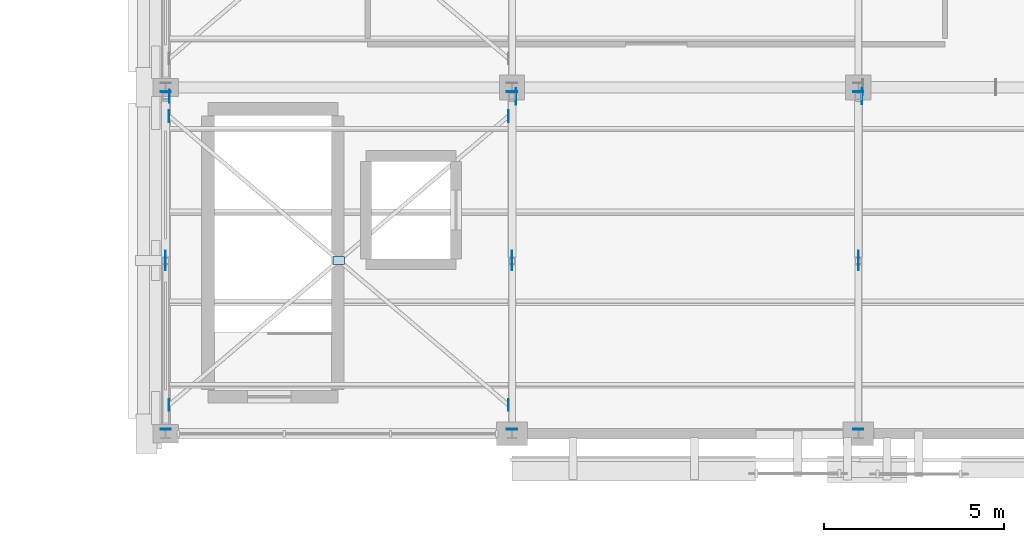
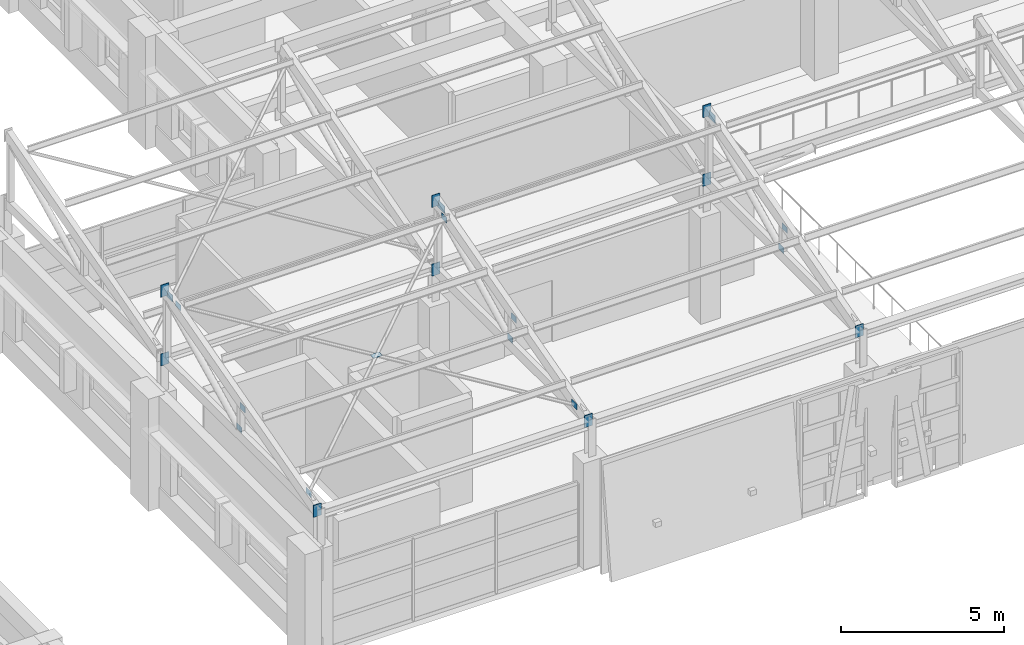
# One storey, part 38 of 58: 23 plates.
"""IFC4 building model written with IfcOpenShell, lengths in metres."""

from ifc_helpers import new_model, si_unit, direction, frame, origin, origin_2d, place, context, subcontext, project, spatial, rectangle, extrude, material, layer, layer_set, type_object, element, save


model = new_model("IFC4")

# Units and contexts
model_context = context("Model", 3, precision=1e-05, world=origin(), true_north=direction((0.0, 1.0)))
body_context = subcontext(model_context, "Body", "Model", "MODEL_VIEW")
ifc_project = project(units=[si_unit("LENGTHUNIT", "METRE"), si_unit("AREAUNIT", "SQUARE_METRE"), si_unit("VOLUMEUNIT", "CUBIC_METRE"), si_unit("PLANEANGLEUNIT", "RADIAN"), si_unit("MASSUNIT", "GRAM", prefix="KILO")], contexts=[model_context])

# Site, building, storey
site_placement = place(None, origin())
site = spatial("IfcSite", under=ifc_project, at=site_placement, CompositionType="ELEMENT")
building_placement = place(site_placement, origin())
building = spatial("IfcBuilding", under=site, at=building_placement, Name="Bempovik Park Faculty of Sciences", CompositionType="ELEMENT")
storey_placement = place(building_placement, frame((0.0, 0.0, 18.300048828125)))
storey = spatial("IfcBuildingStorey", under=building, at=storey_placement, Name="L04", CompositionType="ELEMENT", Elevation=18.300048828125)

# Plates
ifc_material = material(Name="Steel S355", Category="steel")
ifc_layer_1 = layer(ifc_material, 0.011962890625)
ifc_layer_set_1 = layer_set([ifc_layer_1], Name="Steel S355")
plate_type_1 = type_object("IfcPlateType", Name="PL-26 Steel Plate 320x220x12", PredefinedType="SHEET", material=ifc_layer_set_1)
plate_1_placement = place(storey_placement, frame((55.199951171875, 72.60009765625, 6.46240234375), z_axis=(0.0, 0.0, 1.0), x_axis=(1.0, 0.0, 0.0)))
element("IfcPlate", 1, at=plate_1_placement, inside=storey, type_object=plate_type_1, Name="Sawtooth X-Brace Crossing Node Gusset V2-B1-50.4", PredefinedType="SHEET", context=body_context, shape_type="SweptSolid", body=[
    extrude(rectangle(XDim=0.320068359375, YDim=0.219970703125, at=origin_2d()), origin(), (0.0, 0.0, 1.0), 0.011962890625),
])
for number, where, z_axis, x_axis, name in (
    (2, (50.49609375, 68.60009765625, 5.28662109375), (0.0, 0.0, 1.0), (1.0, 0.0, 0.0), "Sawtooth X-Brace End Gusset V2-B1-50.4-1"),
    (3, (59.904052734375, 76.60009765625, 7.43017578125), (0.0, 0.0, 1.0), (1.0, 0.0, 0.0), "Sawtooth X-Brace End Gusset V2-B1-50.4-2"),
    (4, (50.49609375, 76.60009765625, 7.43017578125), (0.0, 0.0, 1.0), (1.0, 0.0, 0.0), "Sawtooth X-Brace End Gusset V2-B1-50.4-3"),
    (5, (59.904052734375, 68.60009765625, 5.28662109375), (0.0, 0.0, 1.0), (1.0, 0.0, 0.0), "Sawtooth X-Brace End Gusset V2-B1-50.4-4"),
    (6, (50.39990234375, 72.4951171875, 6.138671875), (0.0, 0.0, 1.0), (1.0, 0.0, 0.0), "Brace/Strut End Gusset Plate SAW-V2-B1-D1-504-E2"),
    (7, (50.39990234375, 72.705078125, 5.2509765625), (0.0, 0.0, 1.0), (1.0, 0.0, 0.0), "Brace/Strut End Gusset Plate SAW-V2-B1-D2-504-E1"),
    (8, (60.0, 72.4951171875, 6.138671875), (0.0, 0.0, 1.0), (1.0, 0.0, 0.0), "Brace/Strut End Gusset Plate SAW-V2-B1-D1-600-E2"),
    (9, (60.0, 72.705078125, 5.2509765625), (0.0, 0.0, 1.0), (1.0, 0.0, 0.0), "Brace/Strut End Gusset Plate SAW-V2-B1-D2-600-E1"),
    (10, (69.60009765625, 72.4951171875, 6.138671875), (0.0, 0.0, 1.0), (1.0, 0.0, 0.0), "Brace/Strut End Gusset Plate SAW-V2-B1-D1-696-E2"),
    (11, (69.60009765625, 72.705078125, 5.2509765625), (0.0, 0.0, 1.0), (1.0, 0.0, 0.0), "Brace/Strut End Gusset Plate SAW-V2-B1-D2-696-E1"),
):
    element("IfcPlate", number, at=place(storey_placement, frame(where, z_axis=z_axis, x_axis=x_axis)), inside=storey, type_object=plate_type_1, Name=name, PredefinedType="SHEET", context=body_context, shape_type="SweptSolid", body=[
        extrude(rectangle(XDim=0.011962890625, YDim=0.320068359375, at=origin_2d()), origin(), (0.0, 0.0, 1.0), 0.219970703125),
    ])
ifc_layer_2 = layer(ifc_material, 0.01611328125)
ifc_layer_set_2 = layer_set([ifc_layer_2], Name="Steel S355")
plate_type_2 = type_object("IfcPlateType", Name="PL-33 Steel Plate 440x300x16", PredefinedType="SHEET", material=ifc_layer_set_2)
plate_2_placement = place(storey_placement, frame((69.7060546875, 77.14990234375, 7.42431640625), z_axis=(0.0, 0.0, 1.0), x_axis=(1.0, 0.0, 0.0)))
element("IfcPlate", 12, at=plate_2_placement, inside=storey, type_object=plate_type_2, Name="Sawtooth Ridge Gusset Plate V2-B1-69.6", PredefinedType="SHEET", context=body_context, shape_type="SweptSolid", body=[
    extrude(rectangle(XDim=0.01611328125, YDim=0.43994140625, at=origin_2d()), origin(), (0.0, 0.0, 1.0), 0.300048828125),
])
ifc_layer_3 = layer(ifc_material, 0.02001953125)
ifc_layer_set_3 = layer_set([ifc_layer_3], Name="Steel S355")
plate_type_3 = type_object("IfcPlateType", Name="PL-36 Steel Plate 450x280x20", PredefinedType="USERDEFINED", material=ifc_layer_set_3)
for number, where, z_axis, x_axis, name in (
    (13, (50.39990234375, 77.278076171875, 7.52978515625), (0.0, 0.0, 1.0), (1.0, 0.0, 0.0), "Atrium Sawtooth Rafter End Cap V2-B1-50.4"),
    (14, (50.39990234375, 67.922119140625, 4.95751953125), (0.0, 0.0, 1.0), (1.0, 0.0, 0.0), "Atrium Sawtooth Valley Rafter End Cap V2-B1-50.4"),
    (15, (50.39990234375, 77.278076171875, 4.955078125), (0.0, 0.0, 1.0), (1.0, 0.0, 0.0), "Atrium Sawtooth Bottom Chord End Cap V2-B1-50.4"),
):
    element("IfcPlate", number, at=place(storey_placement, frame(where, z_axis=z_axis, x_axis=x_axis)), inside=storey, type_object=plate_type_3, Name=name, ObjectType="STIFFENER PLATE", PredefinedType="USERDEFINED", context=body_context, shape_type="SweptSolid", body=[
        extrude(rectangle(XDim=0.280029296875, YDim=0.02001953125, at=origin_2d()), origin(), (0.0, 0.0, 1.0), 0.449951171875),
    ])
plate_3_placement = place(storey_placement, frame((60.10791015625, 77.14990234375, 7.4345703125), z_axis=(0.0, 0.0, 1.0), x_axis=(1.0, 0.0, 0.0)))
element("IfcPlate", 16, at=plate_3_placement, inside=storey, type_object=plate_type_3, Name="Sawtooth Ridge Gusset Plate V2-B1-60.0", ObjectType="STIFFENER PLATE", PredefinedType="USERDEFINED", context=body_context, shape_type="SweptSolid", body=[
    extrude(rectangle(XDim=0.02001953125, YDim=0.449951171875, at=origin_2d()), origin(), (0.0, 0.0, 1.0), 0.280029296875),
])
for number, where, z_axis, x_axis, name in (
    (17, (60.0, 77.278076171875, 7.52978515625), (0.0, 0.0, 1.0), (1.0, 0.0, 0.0), "Atrium Sawtooth Rafter End Cap V2-B1-60.0"),
    (18, (60.0, 67.922119140625, 4.95751953125), (0.0, 0.0, 1.0), (1.0, 0.0, 0.0), "Atrium Sawtooth Valley Rafter End Cap V2-B1-60.0"),
    (19, (60.0, 77.278076171875, 4.955078125), (0.0, 0.0, 1.0), (1.0, 0.0, 0.0), "Atrium Sawtooth Bottom Chord End Cap V2-B1-60.0"),
    (20, (69.60009765625, 77.278076171875, 7.52978515625), (0.0, 0.0, 1.0), (1.0, 0.0, 0.0), "Atrium Sawtooth Rafter End Cap V2-B1-69.6"),
    (21, (69.60009765625, 67.922119140625, 4.95751953125), (0.0, 0.0, 1.0), (1.0, 0.0, 0.0), "Atrium Sawtooth Valley Rafter End Cap V2-B1-69.6"),
    (22, (69.60009765625, 77.278076171875, 4.955078125), (0.0, 0.0, 1.0), (1.0, 0.0, 0.0), "Atrium Sawtooth Bottom Chord End Cap V2-B1-69.6"),
):
    element("IfcPlate", number, at=place(storey_placement, frame(where, z_axis=z_axis, x_axis=x_axis)), inside=storey, type_object=plate_type_3, Name=name, ObjectType="STIFFENER PLATE", PredefinedType="USERDEFINED", context=body_context, shape_type="SweptSolid", body=[
        extrude(rectangle(XDim=0.280029296875, YDim=0.02001953125, at=origin_2d()), origin(), (0.0, 0.0, 1.0), 0.449951171875),
    ])
ifc_layer_4 = layer(ifc_material, 0.013916015625)
ifc_layer_set_4 = layer_set([ifc_layer_4], Name="Steel S355")
plate_type_4 = type_object("IfcPlateType", Name="PL-39 Steel Plate 360x250x14", PredefinedType="SHEET", material=ifc_layer_set_4)
plate_4_placement = place(storey_placement, frame((50.5048828125, 77.14990234375, 7.449462890625), z_axis=(0.0, 0.0, 1.0), x_axis=(1.0, 0.0, 0.0)))
element("IfcPlate", 23, at=plate_4_placement, inside=storey, type_object=plate_type_4, Name="Sawtooth Ridge Gusset Plate V2-B1-50.4", PredefinedType="SHEET", context=body_context, shape_type="SweptSolid", body=[
    extrude(rectangle(XDim=0.013916015625, YDim=0.360107421875, at=origin_2d()), origin(), (0.0, 0.0, 1.0), 0.25),
])

save(model, "model.ifc")
